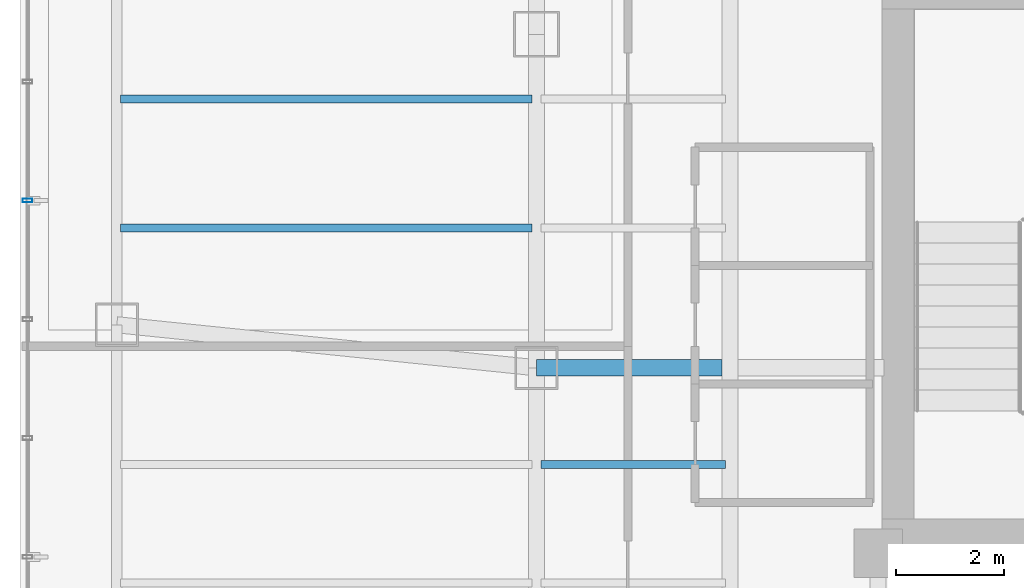
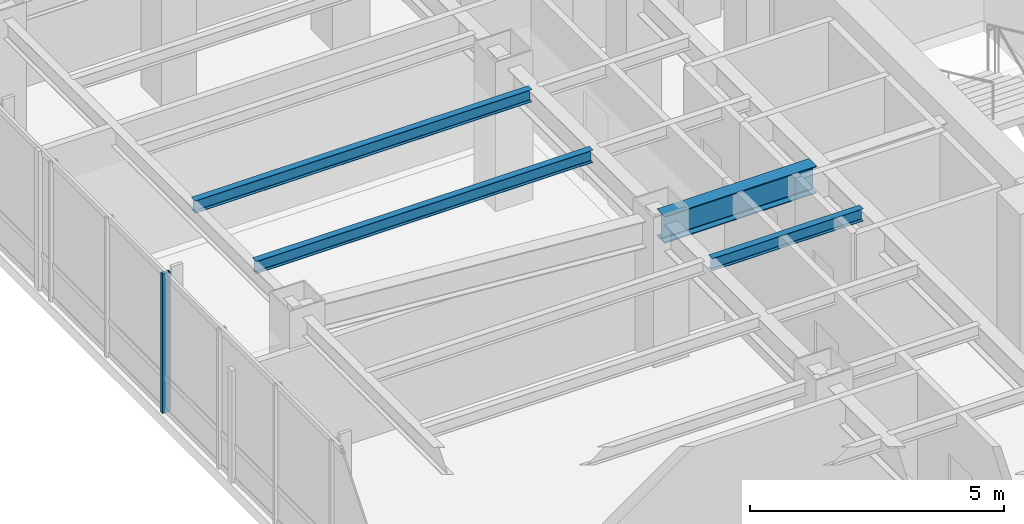
# One storey, part 8 of 28: 4 beams, 1 member, 1 element without a shape of its own.
"""IFC4 building model written with IfcOpenShell, lengths in metres."""

from ifc_helpers import new_model, si_unit, direction, frame, origin, origin_2d, place, context, subcontext, project, spatial, hollow_rectangle, i_section, extrude, material, layer, layer_set, material_profile, profile_set, type_object, element, aggregate, save


model = new_model("IFC4")

# Units and contexts
model_context = context("Model", 3, precision=1e-05, world=origin(), true_north=direction((0.0, 1.0)))
body_context = subcontext(model_context, "Body", "Model", "MODEL_VIEW")
ifc_project = project(units=[si_unit("LENGTHUNIT", "METRE"), si_unit("AREAUNIT", "SQUARE_METRE"), si_unit("VOLUMEUNIT", "CUBIC_METRE"), si_unit("PLANEANGLEUNIT", "RADIAN"), si_unit("MASSUNIT", "GRAM", prefix="KILO")], contexts=[model_context])

# Site, building, storey
site_placement = place(None, origin())
site = spatial("IfcSite", under=ifc_project, at=site_placement, CompositionType="ELEMENT")
building_placement = place(site_placement, origin())
building = spatial("IfcBuilding", under=site, at=building_placement, Name="Hatsunagi Terrace Concourse", CompositionType="ELEMENT")
storey_placement = place(building_placement, frame((0.0, 0.0, 160.050048828125)))
storey = spatial("IfcBuildingStorey", under=building, at=storey_placement, Name="L42", CompositionType="ELEMENT", Elevation=160.050048828125)

# Curtain wall, member
ifc_material_1 = material(Name="Anodised Aluminium Alloy 6063-T5", Category="aluminium")
ifc_layer = layer(ifc_material_1, 0.199951171875)
ifc_layer_set = layer_set([ifc_layer], Name="OfficeZone1_CW03")
curtain_wall_type = type_object("IfcCurtainWallType", Name="OfficeZone1_CW03", PredefinedType="NOTDEFINED", material=ifc_layer_set)
curtain_wall_placement = place(storey_placement, origin())
curtain_wall = element("IfcCurtainWall", 1, at=curtain_wall_placement, inside=storey, type_object=curtain_wall_type, Name="Unitised Curtain Wall CW-03 CW-L42-09", PredefinedType="NOTDEFINED")
ifc_material_2 = material(Name="Anodised Aluminium Alloy 6063-T5", Category="aluminium")
ifc_material_profile_1 = material_profile(ifc_material_2, hollow_rectangle(XDim=0.070068359375, YDim=0.179931640625, WallThickness=0.00390625, at=origin_2d()), Name="ALU-MUL-180x70x4")
ifc_profile_set_1 = profile_set([ifc_material_profile_1], Name="Anodised Aluminium Alloy 6063-T5")
member_type = type_object("IfcMemberType", Name="CurtainWallMullion_180x70", PredefinedType="MULLION", material=ifc_profile_set_1)
member_placement = place(storey_placement, frame((9.739990234375, 39.10791015625, 0.0), z_axis=(0.0, 0.0, 1.0), x_axis=(0.0, 1.0, 0.0)))
member = element("IfcMember", 2, at=member_placement, type_object=member_type, Name="Curtain Wall Mullion MUL-02", PredefinedType="MULLION", context=body_context, shape_type="SweptSolid", body=[
    extrude(hollow_rectangle(XDim=0.070068359375, YDim=0.179931640625, WallThickness=0.00390625, at=origin_2d()), origin(), (0.0, 0.0, 1.0), 3.349853515625),
])
aggregate(curtain_wall, [member])

# Beams
ifc_material_3 = material(Name="Steel SN490B", Category="steel")
ifc_material_profile_2 = material_profile(ifc_material_3, i_section(OverallWidth=0.14990234375, OverallDepth=0.300048828125, WebThickness=0.006591796875, FlangeThickness=0.009033203125, FilletRadius=0.010986328125, at=origin_2d()), Name="H-300x150x6.5x9")
ifc_profile_set_2 = profile_set([ifc_material_profile_2], Name="Steel SN490B")
beam_type_1 = type_object("IfcBeamType", Name="OfficeJoist_H_300x150", PredefinedType="JOIST", material=ifc_profile_set_2)
beam_1_placement = place(storey_placement, frame((19.284912109375, 34.199951171875, 3.199951171875), z_axis=(1.0, 0.0, 0.0), x_axis=(0.0, 1.0, 0.0)))
element("IfcBeam", 3, at=beam_1_placement, inside=storey, type_object=beam_type_1, Name="Beam J-03 J-L42-W-19-342", PredefinedType="JOIST", context=body_context, shape_type="SweptSolid", body=[
    extrude(i_section(OverallWidth=0.14990234375, OverallDepth=0.300048828125, WebThickness=0.006591796875, FlangeThickness=0.009033203125, FilletRadius=0.010986328125, at=origin_2d()), origin(), (0.0, 0.0, 1.0), 3.43017578125),
])
for number, where, z_axis, x_axis, name in (
    (4, (11.465087890625, 38.60009765625, 3.199951171875), (1.0, 0.0, 0.0), (0.0, 1.0, 0.0), "Beam J-03 J-L42-W-11-386"),
    (5, (11.465087890625, 41.0, 3.199951171875), (1.0, 0.0, 0.0), (0.0, 1.0, 0.0), "Beam J-03 J-L42-W-11-410"),
):
    element("IfcBeam", number, at=place(storey_placement, frame(where, z_axis=z_axis, x_axis=x_axis)), inside=storey, type_object=beam_type_1, Name=name, PredefinedType="JOIST", context=body_context, shape_type="SweptSolid", body=[
        extrude(i_section(OverallWidth=0.14990234375, OverallDepth=0.300048828125, WebThickness=0.006591796875, FlangeThickness=0.009033203125, FilletRadius=0.010986328125, at=origin_2d()), origin(), (0.0, 0.0, 1.0), 7.64990234375),
    ])
ifc_material_4 = material(Name="Steel SN490B", Category="steel")
ifc_material_profile_3 = material_profile(ifc_material_4, i_section(OverallWidth=0.300048828125, OverallDepth=0.64990234375, WebThickness=0.012939453125, FlangeThickness=0.02197265625, FilletRadius=0.01806640625, at=origin_2d()), Name="H-650x300x13x22")
ifc_profile_set_3 = profile_set([ifc_material_profile_3], Name="Steel SN490B")
beam_type_2 = type_object("IfcBeamType", Name="OfficeLowGirder_H_650x300", PredefinedType="BEAM", material=ifc_profile_set_3)
beam_2_placement = place(storey_placement, frame((19.199951171875, 36.0, 3.02490234375), z_axis=(1.0, 0.0, 0.0), x_axis=(0.0, 1.0, 0.0)))
element("IfcBeam", 6, at=beam_2_placement, inside=storey, type_object=beam_type_2, Name="Beam G-05 BM-L42-EW-3", PredefinedType="BEAM", context=body_context, shape_type="SweptSolid", body=[
    extrude(i_section(OverallWidth=0.300048828125, OverallDepth=0.64990234375, WebThickness=0.012939453125, FlangeThickness=0.02197265625, FilletRadius=0.01806640625, at=origin_2d()), origin(), (0.0, 0.0, 1.0), 3.449951171875),
])

save(model, "model.ifc")
